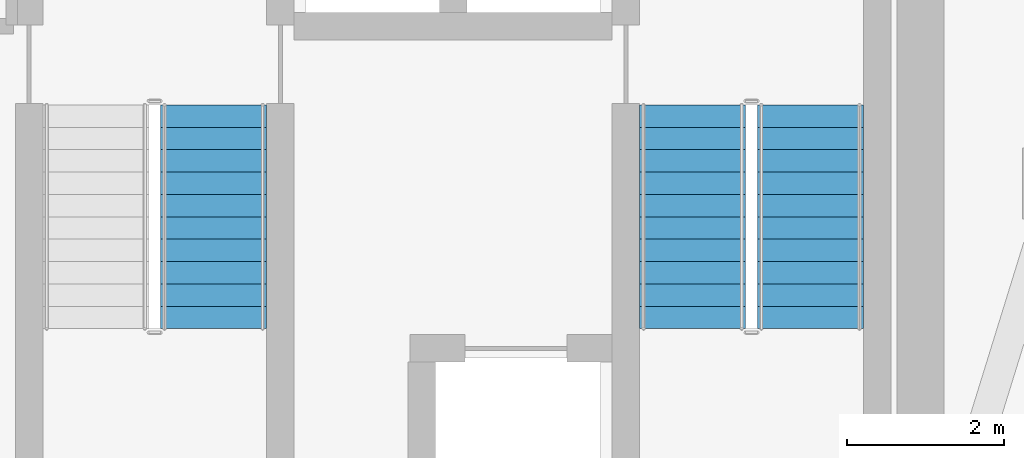
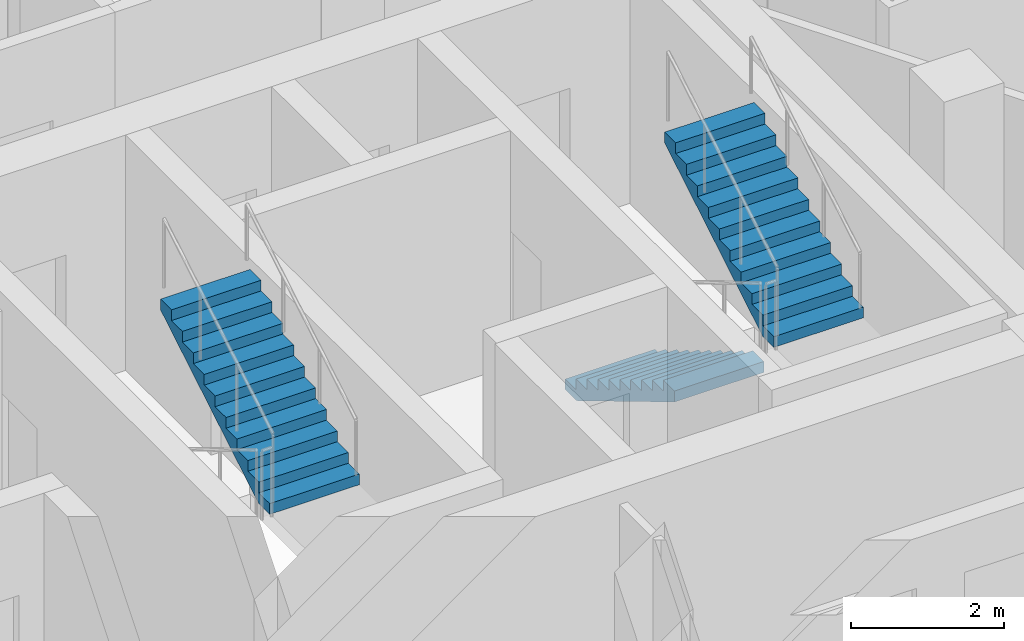
# One storey, part 8 of 10: 3 stair flights, 2 elements without a shape of their own.
"""IFC4 building model written with IfcOpenShell, lengths in metres."""

from ifc_helpers import new_model, si_unit, direction, frame, origin, place, context, subcontext, project, spatial, polyline, outline, extrude, material, type_object, element, aggregate, save


model = new_model("IFC4")

# Units and contexts
model_context = context("Model", 3, precision=1e-05, world=origin(), true_north=direction((0.0, 1.0)))
body_context = subcontext(model_context, "Body", "Model", "MODEL_VIEW")
ifc_project = project(units=[si_unit("LENGTHUNIT", "METRE"), si_unit("AREAUNIT", "SQUARE_METRE"), si_unit("VOLUMEUNIT", "CUBIC_METRE"), si_unit("PLANEANGLEUNIT", "RADIAN"), si_unit("MASSUNIT", "GRAM", prefix="KILO")], contexts=[model_context])

# Site, building, storey
site_placement = place(None, origin())
site = spatial("IfcSite", under=ifc_project, at=site_placement, CompositionType="ELEMENT")
building_placement = place(site_placement, origin())
building = spatial("IfcBuilding", under=site, at=building_placement, Name="Almagre Mirador Tower", CompositionType="ELEMENT")
storey_placement = place(building_placement, frame((0.0, 0.0, 270.75)))
storey = spatial("IfcBuildingStorey", under=building, at=storey_placement, Name="L70", CompositionType="ELEMENT", Elevation=270.75)

# Stair, stair flight
ifc_material_1 = material(Name="Concrete C45/55", Category="concrete")
stair_type = type_object("IfcStairType", Name="STR-DL-3750", PredefinedType="HALF_TURN_STAIR", material=ifc_material_1)
stair_1_placement = place(storey_placement, origin())
stair_1 = element("IfcStair", 1, at=stair_1_placement, inside=storey, type_object=stair_type, Name="L70 Protected exit stair ST-2", PredefinedType="HALF_TURN_STAIR")
ifc_material_2 = material(Name="Concrete C45/55", Category="concrete")
stair_flight_type = type_object("IfcStairFlightType", Name="FLT-DL-3750", PredefinedType="STRAIGHT", material=ifc_material_2)
stair_flight_1_placement = place(storey_placement, frame((38.050048828125, 8.35009765625, 1.875), z_axis=(0.0, 0.0, 1.0), x_axis=(0.0, 1.0, 0.0)))
stair_flight_1 = element("IfcStairFlight", 2, at=stair_flight_1_placement, type_object=stair_flight_type, Name="ST-2 flight 2", NumberOfRisers=11, NumberOfTreads=10, PredefinedType="STRAIGHT", RiserHeight=0.170454545, TreadLength=0.285, context=body_context, shape_type="SweptSolid", body=[
    extrude(outline(polyline([(0.0, 0.0), (0.0, 0.17041015625), (0.284912109375, 0.17041015625), (0.284912109375, 0.3408203125), (0.570068359375, 0.3408203125), (0.570068359375, 0.511474609375), (0.85498046875, 0.511474609375), (0.85498046875, 0.681884765625), (1.139892578125, 0.681884765625), (1.139892578125, 0.852294921875), (1.425048828125, 0.852294921875), (1.425048828125, 1.022705078125), (1.7099609375, 1.022705078125), (1.7099609375, 1.193115234375), (1.9951171875, 1.193115234375), (1.9951171875, 1.363525390625), (2.280029296875, 1.363525390625), (2.280029296875, 1.5341796875), (2.56494140625, 1.5341796875), (2.56494140625, 1.70458984375), (2.85009765625, 1.70458984375), (2.85009765625, 1.875), (2.85009765625, 1.52978515625), (0.2919921875, 0.0), (0.0, 0.0)])), frame((0.0, 0.675048828125, 0.0), z_axis=(0.0, -1.0, 0.0), x_axis=(1.0, 0.0, 0.0)), (0.0, 0.0, 1.0), 1.35009765625),
])
aggregate(stair_1, [stair_flight_1])

# Stair, stair flights
stair_2_placement = place(storey_placement, origin())
stair_2 = element("IfcStair", 3, at=stair_2_placement, inside=storey, type_object=stair_type, Name="L70 Protected exit stair ST-3", PredefinedType="HALF_TURN_STAIR")
stair_flight_2_placement = place(storey_placement, frame((44.14990234375, 11.199951171875, 0.0), z_axis=(0.0, 0.0, 1.0), x_axis=(0.0, -1.0, 0.0)))
stair_flight_2 = element("IfcStairFlight", 4, at=stair_flight_2_placement, type_object=stair_flight_type, Name="ST-3 flight 1", NumberOfRisers=11, NumberOfTreads=10, PredefinedType="STRAIGHT", RiserHeight=0.170454545, TreadLength=0.285, context=body_context, shape_type="SweptSolid", body=[
    extrude(outline(polyline([(0.0, 0.0), (0.0, 0.17041015625), (0.284912109375, 0.17041015625), (0.284912109375, 0.3408203125), (0.570068359375, 0.3408203125), (0.570068359375, 0.511474609375), (0.85498046875, 0.511474609375), (0.85498046875, 0.681884765625), (1.139892578125, 0.681884765625), (1.139892578125, 0.852294921875), (1.425048828125, 0.852294921875), (1.425048828125, 1.022705078125), (1.7099609375, 1.022705078125), (1.7099609375, 1.193115234375), (1.9951171875, 1.193115234375), (1.9951171875, 1.363525390625), (2.280029296875, 1.363525390625), (2.280029296875, 1.5341796875), (2.56494140625, 1.5341796875), (2.56494140625, 1.70458984375), (2.85009765625, 1.70458984375), (2.85009765625, 1.875), (2.85009765625, 1.52978515625), (0.2919921875, 0.0), (0.0, 0.0)])), frame((0.0, 0.675048828125, 0.0), z_axis=(0.0, -1.0, 0.0), x_axis=(1.0, 0.0, 0.0)), (0.0, 0.0, 1.0), 1.35009765625),
])
stair_flight_3_placement = place(storey_placement, frame((45.64990234375, 8.35009765625, 1.875), z_axis=(0.0, 0.0, 1.0), x_axis=(0.0, 1.0, 0.0)))
stair_flight_3 = element("IfcStairFlight", 5, at=stair_flight_3_placement, type_object=stair_flight_type, Name="ST-3 flight 2", NumberOfRisers=11, NumberOfTreads=10, PredefinedType="STRAIGHT", RiserHeight=0.170454545, TreadLength=0.285, context=body_context, shape_type="SweptSolid", body=[
    extrude(outline(polyline([(0.0, 0.0), (0.0, 0.17041015625), (0.284912109375, 0.17041015625), (0.284912109375, 0.3408203125), (0.570068359375, 0.3408203125), (0.570068359375, 0.511474609375), (0.85498046875, 0.511474609375), (0.85498046875, 0.681884765625), (1.139892578125, 0.681884765625), (1.139892578125, 0.852294921875), (1.425048828125, 0.852294921875), (1.425048828125, 1.022705078125), (1.7099609375, 1.022705078125), (1.7099609375, 1.193115234375), (1.9951171875, 1.193115234375), (1.9951171875, 1.363525390625), (2.280029296875, 1.363525390625), (2.280029296875, 1.5341796875), (2.56494140625, 1.5341796875), (2.56494140625, 1.70458984375), (2.85009765625, 1.70458984375), (2.85009765625, 1.875), (2.85009765625, 1.52978515625), (0.2919921875, 0.0), (0.0, 0.0)])), frame((0.0, 0.675048828125, 0.0), z_axis=(0.0, -1.0, 0.0), x_axis=(1.0, 0.0, 0.0)), (0.0, 0.0, 1.0), 1.35009765625),
])
aggregate(stair_2, [stair_flight_2, stair_flight_3])

save(model, "model.ifc")
